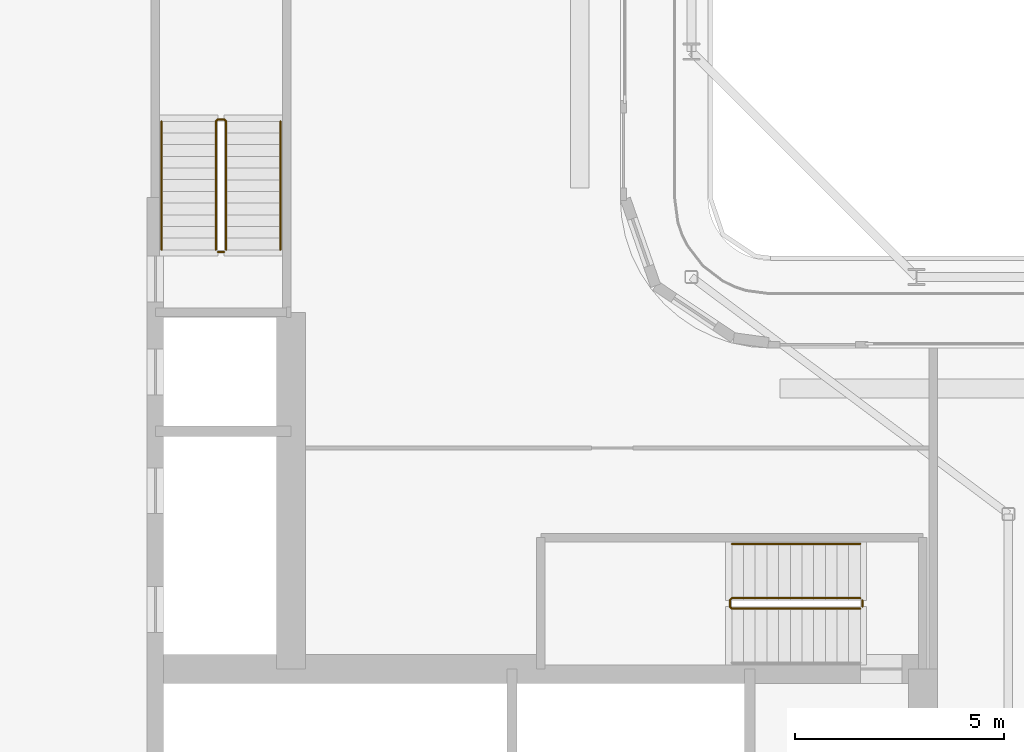
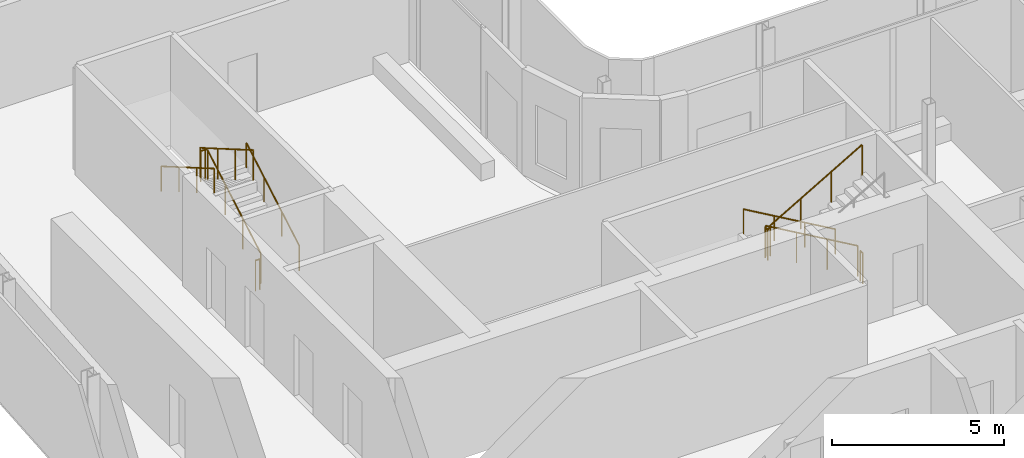
# One storey, part 16 of 22: 7 railings.
"""IFC4 building model written with IfcOpenShell, lengths in metres."""

from ifc_helpers import new_model, si_unit, direction, frame, origin, origin_2d, place, context, subcontext, project, spatial, circle, extrude, material, type_object, element, save


model = new_model("IFC4")

# Units and contexts
model_context = context("Model", 3, precision=1e-05, world=origin(), true_north=direction((0.0, 1.0)))
body_context = subcontext(model_context, "Body", "Model", "MODEL_VIEW")
ifc_project = project(units=[si_unit("LENGTHUNIT", "METRE"), si_unit("AREAUNIT", "SQUARE_METRE"), si_unit("VOLUMEUNIT", "CUBIC_METRE"), si_unit("PLANEANGLEUNIT", "RADIAN"), si_unit("MASSUNIT", "GRAM", prefix="KILO")], contexts=[model_context])

# Site, building, storey
site_placement = place(None, origin())
site = spatial("IfcSite", under=ifc_project, at=site_placement, CompositionType="ELEMENT")
building_placement = place(site_placement, origin())
building = spatial("IfcBuilding", under=site, at=building_placement, Name="Kheshtan School and Residences Tower", CompositionType="ELEMENT")
storey_placement = place(building_placement, frame((0.0, 0.0, 216.199951171875)))
storey = spatial("IfcBuildingStorey", under=building, at=storey_placement, Name="L50", CompositionType="ELEMENT", Elevation=216.199951171875)

# Railings
ifc_material_1 = material(Name="Stainless steel balustrade", Category="steel")
railing_type_1 = type_object("IfcRailingType", Name="Stair guard 1100", PredefinedType="GUARDRAIL", material=ifc_material_1)
railing_1_placement = place(storey_placement, frame((51.64990234375, 37.89990234375, 0.16259765625)))
element("IfcRailing", 1, at=railing_1_placement, inside=storey, type_object=railing_type_1, Name="L50 ST1 stair guard 1", PredefinedType="GUARDRAIL", context=body_context, shape_type="SweptSolid", body=[
    extrude(circle(Radius=0.02392578125, at=origin_2d()), frame((0.0, 0.0, 1.076171875), z_axis=(-0.864903211148, 0.0, 0.501938676878), x_axis=(0.0, -1.0, 0.0)), (0.0, 0.0, 1.0), 3.560791015625),
    extrude(circle(Radius=0.02392578125, at=origin_2d()), frame((-3.079833984375, 0.0, 2.86328125), z_axis=(-0.708833529934, -0.705375805398, 0.0), x_axis=(0.705375805398, -0.708833529934, 0.0)), (0.0, 0.0, 1.0), 0.070556640625),
    extrude(circle(Radius=0.02392578125, at=origin_2d()), frame((-3.1298828125, -0.0498046875, 2.86328125), z_axis=(0.0, -1.0, 0.0), x_axis=(1.0, 0.0, 0.0)), (0.0, 0.0, 1.0), 0.150146484375),
    extrude(circle(Radius=0.02392578125, at=origin_2d()), frame((-3.1298828125, -0.199951171875, 2.86328125), z_axis=(0.282227285176, -0.282227285176, 0.916894497205), x_axis=(0.707106781187, 0.707106781187, 0.0)), (0.0, 0.0, 1.0), 0.17724609375),
    extrude(circle(Radius=0.02392578125, at=origin_2d()), frame((-3.079833984375, -0.25, 3.02587890625), z_axis=(0.864873446163, 0.0, 0.501989962173), x_axis=(0.0, 1.0, 0.0)), (0.0, 0.0, 1.0), 3.56103515625),
    extrude(circle(Radius=0.02099609375, at=origin_2d()), origin(), (0.0, 0.0, 1.0), 1.052001953125),
    extrude(circle(Radius=0.02099609375, at=origin_2d()), frame((-1.026611328125, 0.0, 0.595703125)), (0.0, 0.0, 1.0), 1.052001953125),
    extrude(circle(Radius=0.02099609375, at=origin_2d()), frame((-2.05322265625, 0.0, 1.191650390625)), (0.0, 0.0, 1.0), 1.052001953125),
    extrude(circle(Radius=0.02099609375, at=origin_2d()), frame((-3.079833984375, 0.0, 1.787353515625)), (0.0, 0.0, 1.0), 1.052001953125),
    extrude(circle(Radius=0.02099609375, at=origin_2d()), frame((-3.1298828125, -0.0498046875, 1.787353515625)), (0.0, 0.0, 1.0), 1.052001953125),
    extrude(circle(Radius=0.02099609375, at=origin_2d()), frame((-3.1298828125, -0.199951171875, 1.787353515625)), (0.0, 0.0, 1.0), 1.052001953125),
    extrude(circle(Radius=0.02099609375, at=origin_2d()), frame((-3.079833984375, -0.25, 1.949951171875)), (0.0, 0.0, 1.0), 1.052001953125),
    extrude(circle(Radius=0.02099609375, at=origin_2d()), frame((-2.05322265625, -0.25, 2.5458984375)), (0.0, 0.0, 1.0), 1.052001953125),
    extrude(circle(Radius=0.02099609375, at=origin_2d()), frame((-1.026611328125, -0.25, 3.1416015625)), (0.0, 0.0, 1.0), 1.052001953125),
    extrude(circle(Radius=0.02099609375, at=origin_2d()), frame((0.0, -0.25, 3.737548828125)), (0.0, 0.0, 1.0), 1.052001953125),
])
railing_2_placement = place(storey_placement, frame((51.699951171875, 37.85009765625, 0.0)))
element("IfcRailing", 2, at=railing_2_placement, inside=storey, type_object=railing_type_1, Name="L50 ST1 stair guard 2", PredefinedType="GUARDRAIL", context=body_context, shape_type="SweptSolid", body=[
    extrude(circle(Radius=0.02392578125, at=origin_2d()), frame((0.0, 0.0, 1.076171875), z_axis=(0.0, -1.0, 0.0), x_axis=(1.0, 0.0, 0.0)), (0.0, 0.0, 1.0), 0.150146484375),
    extrude(circle(Radius=0.02099609375, at=origin_2d()), origin(), (0.0, 0.0, 1.0), 1.052001953125),
    extrude(circle(Radius=0.02099609375, at=origin_2d()), frame((0.0, -0.150146484375, 0.0)), (0.0, 0.0, 1.0), 1.052001953125),
])
railing_3_placement = place(storey_placement, frame((36.449951171875, 46.25, 0.16259765625)))
element("IfcRailing", 3, at=railing_3_placement, inside=storey, type_object=railing_type_1, Name="L50 ST2 stair guard 1", PredefinedType="GUARDRAIL", context=body_context, shape_type="SweptSolid", body=[
    extrude(circle(Radius=0.02392578125, at=origin_2d()), frame((0.0, 0.0, 1.076171875), z_axis=(0.0, 0.864920483161, 0.501908913857), x_axis=(-1.0, 0.0, 0.0)), (0.0, 0.0, 1.0), 3.56103515625),
    extrude(circle(Radius=0.02392578125, at=origin_2d()), frame((0.0, 3.080078125, 2.86328125), z_axis=(-0.708833529934, 0.705375805398, 0.0), x_axis=(-0.705375805398, -0.708833529934, 0.0)), (0.0, 0.0, 1.0), 0.070556640625),
    extrude(circle(Radius=0.02392578125, at=origin_2d()), frame((-0.050048828125, 3.1298828125, 2.86328125), z_axis=(-1.0, 0.0, 0.0), x_axis=(0.0, -1.0, 0.0)), (0.0, 0.0, 1.0), 0.14990234375),
    extrude(circle(Radius=0.02392578125, at=origin_2d()), frame((-0.199951171875, 3.1298828125, 2.86328125), z_axis=(-0.282336740067, -0.280959487676, 0.917250092119), x_axis=(0.705375805398, -0.708833529934, 0.0)), (0.0, 0.0, 1.0), 0.17724609375),
    extrude(circle(Radius=0.02392578125, at=origin_2d()), frame((-0.25, 3.080078125, 3.02587890625), z_axis=(0.0, -0.864890721111, 0.501960198159), x_axis=(1.0, 0.0, 0.0)), (0.0, 0.0, 1.0), 3.561279296875),
    extrude(circle(Radius=0.02099609375, at=origin_2d()), origin(), (0.0, 0.0, 1.0), 1.052001953125),
    extrude(circle(Radius=0.02099609375, at=origin_2d()), frame((0.0, 1.026611328125, 0.595703125)), (0.0, 0.0, 1.0), 1.052001953125),
    extrude(circle(Radius=0.02099609375, at=origin_2d()), frame((0.0, 2.053466796875, 1.191650390625)), (0.0, 0.0, 1.0), 1.052001953125),
    extrude(circle(Radius=0.02099609375, at=origin_2d()), frame((0.0, 3.080078125, 1.787353515625)), (0.0, 0.0, 1.0), 1.052001953125),
    extrude(circle(Radius=0.02099609375, at=origin_2d()), frame((-0.050048828125, 3.1298828125, 1.787353515625)), (0.0, 0.0, 1.0), 1.052001953125),
    extrude(circle(Radius=0.02099609375, at=origin_2d()), frame((-0.199951171875, 3.1298828125, 1.787353515625)), (0.0, 0.0, 1.0), 1.052001953125),
    extrude(circle(Radius=0.02099609375, at=origin_2d()), frame((-0.25, 3.080078125, 1.949951171875)), (0.0, 0.0, 1.0), 1.052001953125),
    extrude(circle(Radius=0.02099609375, at=origin_2d()), frame((-0.25, 2.053466796875, 2.5458984375)), (0.0, 0.0, 1.0), 1.052001953125),
    extrude(circle(Radius=0.02099609375, at=origin_2d()), frame((-0.25, 1.026611328125, 3.1416015625)), (0.0, 0.0, 1.0), 1.052001953125),
    extrude(circle(Radius=0.02099609375, at=origin_2d()), frame((-0.25, 0.0, 3.737548828125)), (0.0, 0.0, 1.0), 1.052001953125),
])
railing_4_placement = place(storey_placement, frame((36.39990234375, 46.199951171875, 0.0)))
element("IfcRailing", 4, at=railing_4_placement, inside=storey, type_object=railing_type_1, Name="L50 ST2 stair guard 2", PredefinedType="GUARDRAIL", context=body_context, shape_type="SweptSolid", body=[
    extrude(circle(Radius=0.02392578125, at=origin_2d()), frame((0.0, 0.0, 1.076171875), z_axis=(-1.0, 0.0, 0.0), x_axis=(0.0, -1.0, 0.0)), (0.0, 0.0, 1.0), 0.14990234375),
    extrude(circle(Radius=0.02099609375, at=origin_2d()), origin(), (0.0, 0.0, 1.0), 1.052001953125),
    extrude(circle(Radius=0.02099609375, at=origin_2d()), frame((-0.14990234375, 0.0, 0.0)), (0.0, 0.0, 1.0), 1.052001953125),
])
ifc_material_2 = material(Name="Stainless steel handrail", Category="steel")
railing_type_2 = type_object("IfcRailingType", Name="Stair handrail 900", PredefinedType="HANDRAIL", material=ifc_material_2)
railing_5_placement = place(storey_placement, frame((51.64990234375, 39.199951171875, 0.16259765625)))
element("IfcRailing", 5, at=railing_5_placement, inside=storey, type_object=railing_type_2, Name="L50 ST1 stair handrail 1", PredefinedType="HANDRAIL", context=body_context, shape_type="SweptSolid", body=[
    extrude(circle(Radius=0.02392578125, at=origin_2d()), frame((0.0, 0.0, 0.8759765625), z_axis=(-0.864903211148, 0.0, 0.501938676878), x_axis=(0.0, -1.0, 0.0)), (0.0, 0.0, 1.0), 3.560791015625),
    extrude(circle(Radius=0.02099609375, at=origin_2d()), origin(), (0.0, 0.0, 1.0), 0.851806640625),
    extrude(circle(Radius=0.02099609375, at=origin_2d()), frame((-1.026611328125, 0.0, 0.595703125)), (0.0, 0.0, 1.0), 0.851806640625),
    extrude(circle(Radius=0.02099609375, at=origin_2d()), frame((-2.05322265625, 0.0, 1.191650390625)), (0.0, 0.0, 1.0), 0.851806640625),
    extrude(circle(Radius=0.02099609375, at=origin_2d()), frame((-3.079833984375, 0.0, 1.787353515625)), (0.0, 0.0, 1.0), 0.851806640625),
])
railing_6_placement = place(storey_placement, frame((37.75, 46.25, 0.16259765625)))
element("IfcRailing", 6, at=railing_6_placement, inside=storey, type_object=railing_type_2, Name="L50 ST2 stair handrail 1", PredefinedType="HANDRAIL", context=body_context, shape_type="SweptSolid", body=[
    extrude(circle(Radius=0.02392578125, at=origin_2d()), frame((0.0, 0.0, 0.8759765625), z_axis=(0.0, 0.864920483161, 0.501908913857), x_axis=(-1.0, 0.0, 0.0)), (0.0, 0.0, 1.0), 3.56103515625),
    extrude(circle(Radius=0.02099609375, at=origin_2d()), origin(), (0.0, 0.0, 1.0), 0.851806640625),
    extrude(circle(Radius=0.02099609375, at=origin_2d()), frame((0.0, 1.026611328125, 0.595703125)), (0.0, 0.0, 1.0), 0.851806640625),
    extrude(circle(Radius=0.02099609375, at=origin_2d()), frame((0.0, 2.053466796875, 1.191650390625)), (0.0, 0.0, 1.0), 0.851806640625),
    extrude(circle(Radius=0.02099609375, at=origin_2d()), frame((0.0, 3.080078125, 1.787353515625)), (0.0, 0.0, 1.0), 0.851806640625),
])
railing_7_placement = place(storey_placement, frame((34.89990234375, 49.330078125, 2.112548828125)))
element("IfcRailing", 7, at=railing_7_placement, inside=storey, type_object=railing_type_2, Name="L50 ST2 stair handrail 2", PredefinedType="HANDRAIL", context=body_context, shape_type="SweptSolid", body=[
    extrude(circle(Radius=0.02392578125, at=origin_2d()), frame((0.0, 0.0, 0.8759765625), z_axis=(0.0, -0.864890721111, 0.501960198159), x_axis=(1.0, 0.0, 0.0)), (0.0, 0.0, 1.0), 3.561279296875),
    extrude(circle(Radius=0.02099609375, at=origin_2d()), origin(), (0.0, 0.0, 1.0), 0.851806640625),
    extrude(circle(Radius=0.02099609375, at=origin_2d()), frame((0.0, -1.026611328125, 0.595947265625)), (0.0, 0.0, 1.0), 0.851806640625),
    extrude(circle(Radius=0.02099609375, at=origin_2d()), frame((0.0, -2.053466796875, 1.191650390625)), (0.0, 0.0, 1.0), 0.851806640625),
    extrude(circle(Radius=0.02099609375, at=origin_2d()), frame((0.0, -3.080078125, 1.78759765625)), (0.0, 0.0, 1.0), 0.851806640625),
])

save(model, "model.ifc")
